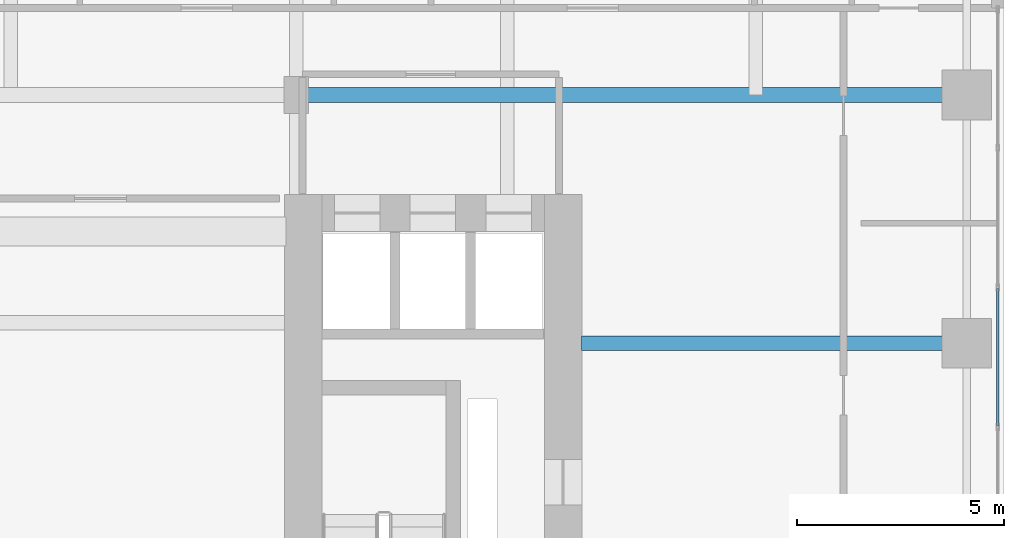
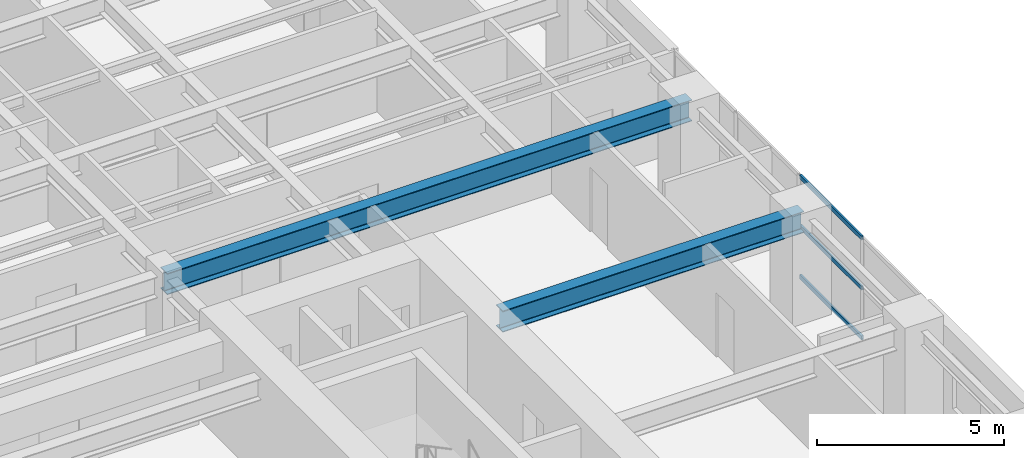
# One storey, part 10 of 24: 3 members, 2 beams, 1 element without a shape of its own.
"""IFC4 building model written with IfcOpenShell, lengths in metres."""

from ifc_helpers import new_model, si_unit, direction, frame, origin, origin_2d, place, context, subcontext, project, spatial, hollow_rectangle, i_section, extrude, source, transform, mapped, material, layer, layer_set, material_profile, profile_set, type_object, element, aggregate, save


model = new_model("IFC4")

# Units and contexts
model_context = context("Model", 3, precision=1e-05, world=origin(), true_north=direction((0.0, 1.0)))
body_context = subcontext(model_context, "Body", "Model", "MODEL_VIEW")
ifc_project = project(units=[si_unit("LENGTHUNIT", "METRE"), si_unit("AREAUNIT", "SQUARE_METRE"), si_unit("VOLUMEUNIT", "CUBIC_METRE"), si_unit("PLANEANGLEUNIT", "RADIAN"), si_unit("MASSUNIT", "GRAM", prefix="KILO")], contexts=[model_context])

# Site, building, storey
site_placement = place(None, origin())
site = spatial("IfcSite", under=ifc_project, at=site_placement, CompositionType="ELEMENT")
building_placement = place(site_placement, origin())
building = spatial("IfcBuilding", under=site, at=building_placement, Name="Khoralis Quay Care Tower", CompositionType="ELEMENT")
storey_placement = place(building_placement, frame((0.0, 0.0, 54.89990234375)))
storey = spatial("IfcBuildingStorey", under=building, at=storey_placement, Name="L14", CompositionType="ELEMENT", Elevation=54.89990234375)

# Beams
ifc_material_1 = material(Name="Steel S355", Category="steel")
ifc_material_profile_1 = material_profile(ifc_material_1, i_section(OverallWidth=0.35498046875, OverallDepth=0.695068359375, WebThickness=0.015380859375, FlangeThickness=0.02490234375, FilletRadius=0.02001953125, at=origin_2d()), Name="Steel S355")
ifc_profile_set_1 = profile_set([ifc_material_profile_1], Name="Steel S355")
beam_type = type_object("IfcBeamType", Name="BM-W690X217", PredefinedType="BEAM", material=ifc_profile_set_1)
shared_shape_1 = source(origin(), body_context, "Body", "SweptSolid", [
    extrude(i_section(OverallWidth=0.35498046875, OverallDepth=0.695068359375, WebThickness=0.015380859375, FlangeThickness=0.02490234375, FilletRadius=0.02001953125, at=origin_2d()), origin(), (0.0, 0.0, 1.0), 16.2001953125),
])
beam_1_placement = place(storey_placement, frame((30.89990234375, 30.0, 2.97265625), z_axis=(1.0, 0.0, 0.0), x_axis=(0.0, 1.0, 0.0)))
element("IfcBeam", 1, at=beam_1_placement, inside=storey, type_object=beam_type, Name="BM-TGXE-L14-300", PredefinedType="BEAM", context=body_context, shape_type="MappedRepresentation", body=[
    mapped(shared_shape_1, transform((0.0, 0.0, 0.0), scale=1.0)),
])
shared_shape_2 = source(origin(), body_context, "Body", "SweptSolid", [
    extrude(i_section(OverallWidth=0.35498046875, OverallDepth=0.695068359375, WebThickness=0.015380859375, FlangeThickness=0.02490234375, FilletRadius=0.02001953125, at=origin_2d()), origin(), (0.0, 0.0, 1.0), 9.302001953125),
])
beam_2_placement = place(storey_placement, frame((37.798095703125, 24.0, 2.97265625), z_axis=(1.0, 0.0, 0.0), x_axis=(0.0, 1.0, 0.0)))
element("IfcBeam", 2, at=beam_2_placement, inside=storey, type_object=beam_type, Name="BM-TGXE-L14-240", PredefinedType="BEAM", context=body_context, shape_type="MappedRepresentation", body=[
    mapped(shared_shape_2, transform((0.0, 0.0, 0.0), scale=1.0)),
])

# Curtain wall, members
ifc_material_2 = material(Name="Pale anodised aluminium", Category="aluminium")
ifc_layer = layer(ifc_material_2, 0.179931640625)
ifc_layer_set = layer_set([ifc_layer], Name="Pale anodised aluminium")
curtain_wall_type = type_object("IfcCurtainWallType", Name="CW-SYS-Z1", PredefinedType="NOTDEFINED", material=ifc_layer_set)
curtain_wall_placement = place(storey_placement, origin())
curtain_wall = element("IfcCurtainWall", 3, at=curtain_wall_placement, inside=storey, type_object=curtain_wall_type, Name="L14 Unitised Curtain Wall CW-L14-P1-E5", PredefinedType="NOTDEFINED")
ifc_material_profile_2 = material_profile(ifc_material_2, hollow_rectangle(XDim=0.06005859375, YDim=0.139892578125, WallThickness=0.00390625, at=origin_2d()), Name="Pale anodised aluminium")
ifc_profile_set_2 = profile_set([ifc_material_profile_2], Name="Pale anodised aluminium")
member_type = type_object("IfcMemberType", Name="CW-TRN-140", PredefinedType="USERDEFINED", material=ifc_profile_set_2)
shared_shape_3 = source(origin(), body_context, "Body", "SweptSolid", [
    extrude(hollow_rectangle(XDim=0.06005859375, YDim=0.139892578125, WallThickness=0.00390625, at=origin_2d()), origin(), (0.0, 0.0, 1.0), 3.315185546875),
])
member_1_placement = place(storey_placement, frame((47.85009765625, 22.0048828125, 0.030029296875), z_axis=(0.0, 1.0, 0.0), x_axis=(-1.0, 0.0, 0.0)))
member_1 = element("IfcMember", 4, at=member_1_placement, type_object=member_type, Name="CW1 transom 2.1", ObjectType="TRANSOM", PredefinedType="USERDEFINED", context=body_context, shape_type="MappedRepresentation", body=[
    mapped(shared_shape_3, transform((0.0, 0.0, 0.0), scale=1.0)),
])
member_2_placement = place(storey_placement, frame((47.85009765625, 22.0048828125, 1.66015625), z_axis=(0.0, 1.0, 0.0), x_axis=(-1.0, 0.0, 0.0)))
member_2 = element("IfcMember", 5, at=member_2_placement, type_object=member_type, Name="CW1 transom 2.2", ObjectType="TRANSOM", PredefinedType="USERDEFINED", context=body_context, shape_type="MappedRepresentation", body=[
    mapped(shared_shape_3, transform((0.0, 0.0, 0.0), scale=1.0)),
])
member_3_placement = place(storey_placement, frame((47.85009765625, 22.0048828125, 3.2900390625), z_axis=(0.0, 1.0, 0.0), x_axis=(-1.0, 0.0, 0.0)))
member_3 = element("IfcMember", 6, at=member_3_placement, type_object=member_type, Name="CW1 transom 2.3", ObjectType="TRANSOM", PredefinedType="USERDEFINED", context=body_context, shape_type="MappedRepresentation", body=[
    mapped(shared_shape_3, transform((0.0, 0.0, 0.0), scale=1.0)),
])
aggregate(curtain_wall, [member_1, member_2, member_3])

save(model, "model.ifc")
